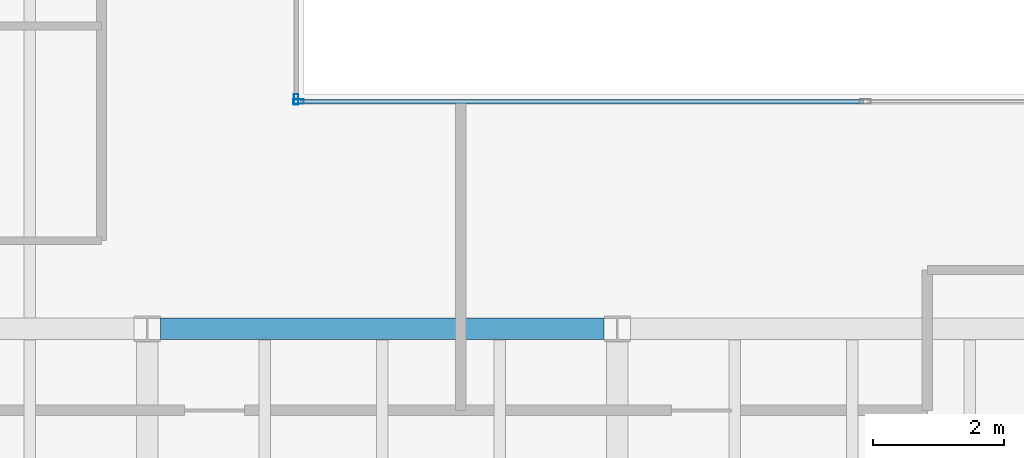
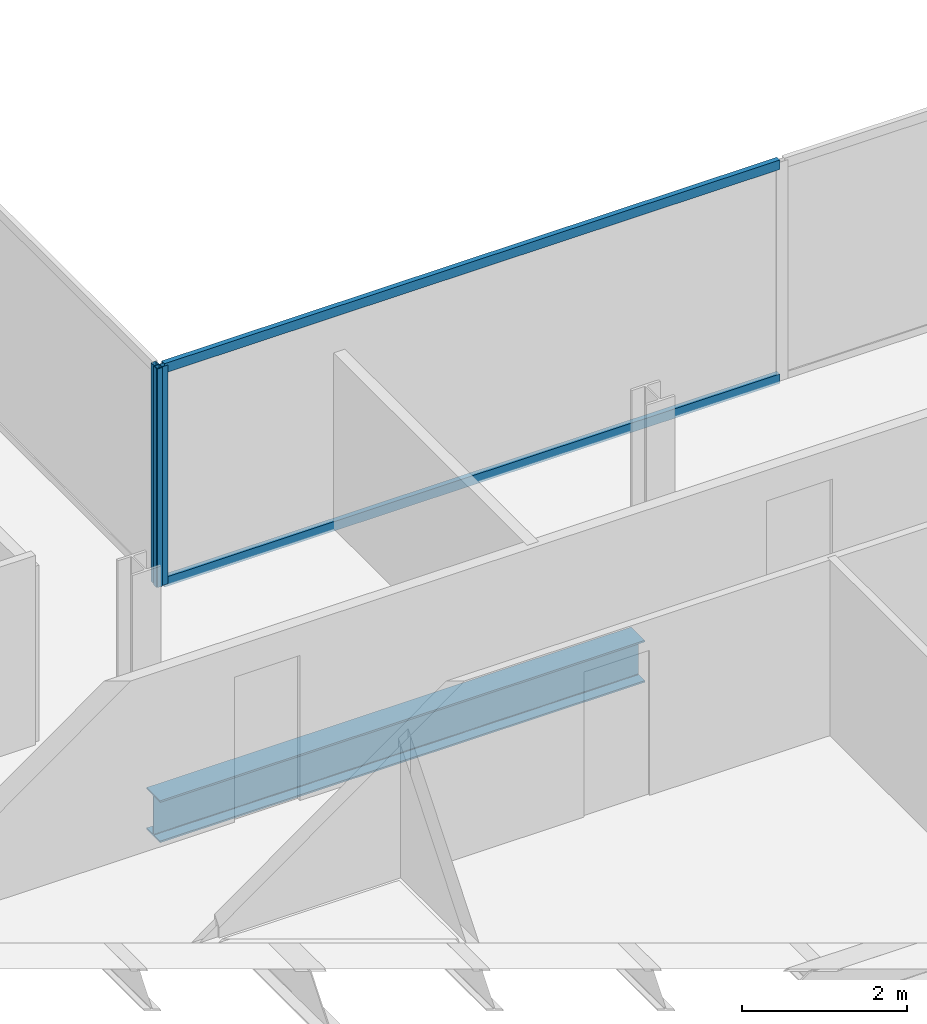
# One storey, part 8 of 23: 4 members, 1 beam, 2 elements without a shape of their own.
"""IFC4 building model written with IfcOpenShell, lengths in metres."""

import ifcopenshell
import ifcopenshell.guid

model = None  # the IFC model being written
_history = None  # IfcOwnerHistory: only IFC2X3 demands one
_inside = {}  # id of a spatial element -> (the spatial element, [elements in it])
_under = {}  # id of a project, library or spatial element -> (it, [spatial elements below it])
_declared = {}  # id of a project -> (the project, [libraries it declares])
_typed = {}  # id of a type object -> (the type object, [elements of that type])
_made_of = {}  # id of a material, layer set ... -> (it, [elements and type objects made of it])


def new_model(schema):
    """Start an empty IFC model of exactly this schema.

    Asked for "IFC4X3", IfcOpenShell would pick the latest addendum, in which some entities
    have other attributes; the version numbers below select the first issue.
    IFC2X3 requires an IfcOwnerHistory on every rooted entity: one is made here for all.
    """
    global model, _history
    if schema == "IFC4X3":
        model = ifcopenshell.file(schema_version=(4, 3, 0, 0))
    else:
        model = ifcopenshell.file(schema=schema)
    _inside.clear()
    _under.clear()
    _declared.clear()
    _typed.clear()
    _made_of.clear()
    _history = None
    if model.schema == "IFC2X3":
        org = make("IfcOrganization", Name="unknown")
        user = make(
            "IfcPersonAndOrganization",
            ThePerson=make("IfcPerson", FamilyName="unknown"),
            TheOrganization=org,
        )
        app = make(
            "IfcApplication",
            ApplicationDeveloper=org,
            Version="unknown",
            ApplicationFullName="unknown",
            ApplicationIdentifier="unknown",
        )
        _history = make(
            "IfcOwnerHistory",
            OwningUser=user,
            OwningApplication=app,
            ChangeAction="ADDED",
            CreationDate=0,
        )
    return model


def make(cls, **values):
    """One entity of the class cls with the attributes given. An attribute that is None is left unset."""
    return model.create_entity(
        cls, **{name: value for name, value in values.items() if value is not None}
    )


def rooted(cls, **values):
    """An entity with a GlobalId (a new one), such as an element, a storey or a relation."""
    return make(cls, GlobalId=ifcopenshell.guid.new(), OwnerHistory=_history, **values)


def si_unit(unit_type, name, prefix=None):
    """IfcSIUnit, for example si_unit("LENGTHUNIT", "METRE", prefix="MILLI")."""
    return make("IfcSIUnit", UnitType=unit_type, Prefix=prefix, Name=name)


def assignment(units):
    """IfcUnitAssignment: the units of a project."""
    return None if units is None else make("IfcUnitAssignment", Units=units)


def point(xyz):
    """IfcCartesianPoint."""
    return None if xyz is None else make("IfcCartesianPoint", Coordinates=xyz)


def direction(xyz):
    """IfcDirection."""
    return None if xyz is None else make("IfcDirection", DirectionRatios=xyz)


def frame(location, z_axis=None, x_axis=None):
    """IfcAxis2Placement3D, a coordinate frame: its origin and axes. An axis left out is left unset."""
    return make(
        "IfcAxis2Placement3D",
        Location=point(location),
        Axis=direction(z_axis),
        RefDirection=direction(x_axis),
    )


def frame_2d(location, x_axis=None):
    """IfcAxis2Placement2D, a coordinate frame in the plane: its origin and x axis."""
    return make(
        "IfcAxis2Placement2D", Location=point(location), RefDirection=direction(x_axis)
    )


def origin():
    """The frame at (0, 0, 0) with its axes left unset."""
    return frame((0.0, 0.0, 0.0))


def origin_2d():
    """The frame at (0, 0) in the plane with its x axis left unset."""
    return frame_2d((0.0, 0.0))


def place(relative_to, where):
    """IfcLocalPlacement: puts the frame where relative to a parent placement (None: the world)."""
    return make(
        "IfcLocalPlacement", PlacementRelTo=relative_to, RelativePlacement=where
    )


def context(
    kind, dimensions, precision=None, world=None, true_north=None, identifier=None
):
    """IfcGeometricRepresentationContext, for example the 3D "Model" context."""
    return make(
        "IfcGeometricRepresentationContext",
        ContextIdentifier=identifier,
        ContextType=kind,
        CoordinateSpaceDimension=dimensions,
        Precision=precision,
        WorldCoordinateSystem=world,
        TrueNorth=true_north,
    )


def subcontext(parent, identifier, kind, view, scale=None):
    """IfcGeometricRepresentationSubContext, for example "Body" below "Model"."""
    return make(
        "IfcGeometricRepresentationSubContext",
        ContextIdentifier=identifier,
        ContextType=kind,
        ParentContext=parent,
        TargetScale=scale,
        TargetView=view,
    )


def project(units=None, contexts=None):
    """IfcProject with its units and contexts."""
    return rooted(
        "IfcProject",
        Name="project",
        RepresentationContexts=contexts,
        UnitsInContext=assignment(units),
    )


def spatial(cls, under=None, at=None, **own):
    """A site, building, storey or space (cls), placed at a placement, below another one or the project."""
    s = rooted(cls, ObjectPlacement=at, **own)
    if under is not None:
        _under.setdefault(under.id(), (under, []))[1].append(s)
    return s


def profile(cls, at=None, kind="AREA", **sizes):
    """A parametric profile (cls). Its sizes go by their IFC names, for example OverallWidth=200.0."""
    return make(cls, ProfileType=kind, Position=at, **sizes)


def hollow_rectangle(**sizes):
    """IfcRectangleHollowProfileDef."""
    return profile("IfcRectangleHollowProfileDef", **sizes)


def i_section(**sizes):
    """IfcIShapeProfileDef."""
    return profile("IfcIShapeProfileDef", **sizes)


def extrude(swept, where, along, depth):
    """IfcExtrudedAreaSolid: the profile swept, set in the frame where, extruded along a direction by depth."""
    return make(
        "IfcExtrudedAreaSolid",
        SweptArea=swept,
        Position=where,
        ExtrudedDirection=direction(along),
        Depth=depth,
    )


def shape(context_of_items, identifier, shape_type, items):
    """IfcShapeRepresentation: the items that make up one representation, for example the "Body"."""
    return make(
        "IfcShapeRepresentation",
        ContextOfItems=context_of_items,
        RepresentationIdentifier=identifier,
        RepresentationType=shape_type,
        Items=items,
    )


def material(Name=None, Category=None):
    """IfcMaterial."""
    return make("IfcMaterial", Name=Name, Category=Category)


def material_profile(
    of_material, cross_section, Name=None, Category=None, Priority=None
):
    """IfcMaterialProfile: a cross section and its material."""
    return make(
        "IfcMaterialProfile",
        Name=Name,
        Material=of_material,
        Profile=cross_section,
        Priority=Priority,
        Category=Category,
    )


def profile_set(profiles, Name=None, composite=None):
    """IfcMaterialProfileSet."""
    return make(
        "IfcMaterialProfileSet",
        Name=Name,
        MaterialProfiles=profiles,
        CompositeProfile=composite,
    )


def made_of(thing, what):
    """Note that an element or type object is made of a material, layer set ...; save() writes the relation."""
    if what is not None:
        _made_of.setdefault(what.id(), (what, []))[1].append(thing)
    return thing


def type_object(cls, material=None, **own):
    """A type object (cls), such as IfcWallType, which elements share."""
    return made_of(rooted(cls, **own), material)


def element(
    cls,
    number,
    at=None,
    inside=None,
    cuts=None,
    type_object=None,
    material=None,
    context=None,
    identifier="Body",
    shape_type=None,
    held_by="IfcProductDefinitionShape",
    body=None,
    shapes=None,
    **own,
):
    """One element of the class cls, such as IfcWall. Its Tag is "e" and its number.

    at: its placement. inside: the storey or other place that contains it. cuts: it is an
    opening in that element (IfcRelVoidsElement). A single representation is given by context,
    identifier, shape_type and body (its items); several are given by shapes. held_by: the class
    of the entity that holds the representations. save() writes the other relations.
    """
    e = rooted(cls, Tag="e%d" % number, ObjectPlacement=at, **own)
    if body is not None:
        shapes = [shape(context, identifier, shape_type, body)]
    if shapes is not None:
        e.Representation = make(held_by, Representations=shapes)
    if inside is not None:
        _inside.setdefault(inside.id(), (inside, []))[1].append(e)
    if cuts is not None:
        rooted(
            "IfcRelVoidsElement", RelatingBuildingElement=cuts, RelatedOpeningElement=e
        )
    if type_object is not None:
        _typed.setdefault(type_object.id(), (type_object, []))[1].append(e)
    return made_of(e, material)


def aggregate(whole, parts):
    """IfcRelAggregates: a whole, such as a stair, and the parts it consists of."""
    return rooted("IfcRelAggregates", RelatingObject=whole, RelatedObjects=parts)


def save(model, path):
    """Write the relations noted so far, then the file.

    IfcRelAggregates (storeys below a building ...), IfcRelContainedInSpatialStructure (elements
    in a storey), IfcRelDefinesByType, IfcRelAssociatesMaterial and IfcRelDeclares: one each for
    every whole, place, type object, material and project.
    """
    for whole, parts in _under.values():
        aggregate(whole, parts)
    for where, things in _inside.values():
        rooted(
            "IfcRelContainedInSpatialStructure",
            RelatedElements=things,
            RelatingStructure=where,
        )
    for kind, things in _typed.values():
        rooted("IfcRelDefinesByType", RelatedObjects=things, RelatingType=kind)
    for what, things in _made_of.values():
        rooted("IfcRelAssociatesMaterial", RelatedObjects=things, RelatingMaterial=what)
    for by, libraries in _declared.values():
        rooted("IfcRelDeclares", RelatingContext=by, RelatedDefinitions=libraries)
    model.write(path)


model = new_model("IFC4")

# Units and contexts
model_context = context("Model", 3, precision=1e-05, world=origin(), true_north=direction((0.0, 1.0)))
body_context = subcontext(model_context, "Body", "Model", "MODEL_VIEW")
ifc_project = project(units=[si_unit("LENGTHUNIT", "METRE"), si_unit("AREAUNIT", "SQUARE_METRE"), si_unit("VOLUMEUNIT", "CUBIC_METRE"), si_unit("PLANEANGLEUNIT", "RADIAN"), si_unit("MASSUNIT", "GRAM", prefix="KILO")], contexts=[model_context])

# Site, building, storey
site_placement = place(None, origin())
site = spatial("IfcSite", under=ifc_project, at=site_placement, CompositionType="ELEMENT")
building_placement = place(site_placement, origin())
building = spatial("IfcBuilding", under=site, at=building_placement, Name="Cobrela Telecom Tower", CompositionType="ELEMENT")
storey_placement = place(building_placement, frame((0.0, 0.0, 187.25)))
storey = spatial("IfcBuildingStorey", under=building, at=storey_placement, Name="L47", CompositionType="ELEMENT", Elevation=187.25)

# Beam
ifc_material_1 = material(Name="Steel ASTM A992 Grade 50", Category="steel")
ifc_material_profile_1 = material_profile(ifc_material_1, i_section(OverallWidth=0.327880859375, OverallDepth=0.6220703125, WebThickness=0.015380859375, FlangeThickness=0.0244140625, FilletRadius=0.014892578125, at=origin_2d()), Name="W24X131")
ifc_profile_set_1 = profile_set([ifc_material_profile_1], Name="Steel ASTM A992 Grade 50")
beam_type = type_object("IfcBeamType", Name="BM-GIRD-06", PredefinedType="USERDEFINED", material=ifc_profile_set_1)
beam_placement = place(storey_placement, frame((21.804443359375, 21.60009765625, -0.571044921875), z_axis=(1.0, 0.0, 0.0), x_axis=(0.0, 1.0, 0.0)))
element("IfcBeam", 1, at=beam_placement, inside=storey, type_object=beam_type, Name="L47 Primary Girder X16", ObjectType="GIRDER", PredefinedType="USERDEFINED", context=body_context, shape_type="SweptSolid", body=[
    extrude(i_section(OverallWidth=0.327880859375, OverallDepth=0.6220703125, WebThickness=0.015380859375, FlangeThickness=0.0244140625, FilletRadius=0.014892578125, at=origin_2d()), origin(), (0.0, 0.0, 1.0), 6.791015625),
])

# Curtain wall, member
ifc_material_2 = material(Name="Anodized Bronze Aluminium 6063-T6", Category="aluminium")
curtain_wall_type = type_object("IfcCurtainWallType", Name="CW-SYS-OFF-LO", PredefinedType="USERDEFINED", material=ifc_material_2)
curtain_wall_1_placement = place(storey_placement, origin())
curtain_wall_1 = element("IfcCurtainWall", 2, at=curtain_wall_1_placement, inside=storey, type_object=curtain_wall_type, Name="L47 Unitised Bronze Curtain Wall 10", ObjectType="UNITISED CURTAIN WALL", PredefinedType="USERDEFINED")
ifc_material_profile_2 = material_profile(ifc_material_2, hollow_rectangle(XDim=0.070068359375, YDim=0.159912109375, WallThickness=0.00390625, at=origin_2d()), Name="ALU 70x160x4")
ifc_profile_set_2 = profile_set([ifc_material_profile_2], Name="Anodized Bronze Aluminium 6063-T6")
member_type_1 = type_object("IfcMemberType", Name="CW-SYS-OFF-LO-MUL", PredefinedType="MULLION", material=ifc_profile_set_2)
member_1_placement = place(storey_placement, frame((23.8798828125, 25.114990234375, 0.0), z_axis=(0.0, 0.0, 1.0), x_axis=(1.0, 0.0, 0.0)))
member_1 = element("IfcMember", 3, at=member_1_placement, type_object=member_type_1, Name="CW-OFF-LO mullion 3", PredefinedType="MULLION", context=body_context, shape_type="SweptSolid", body=[
    extrude(hollow_rectangle(XDim=0.070068359375, YDim=0.159912109375, WallThickness=0.00390625, at=origin_2d()), origin(), (0.0, 0.0, 1.0), 3.239990234375),
])
aggregate(curtain_wall_1, [member_1])

# Curtain wall, members
curtain_wall_2_placement = place(storey_placement, origin())
curtain_wall_2 = element("IfcCurtainWall", 4, at=curtain_wall_2_placement, inside=storey, type_object=curtain_wall_type, Name="L47 Unitised Bronze Curtain Wall 11", ObjectType="UNITISED CURTAIN WALL", PredefinedType="USERDEFINED")
member_2_placement = place(storey_placement, frame((23.9150390625, 25.080078125, 0.0), z_axis=(0.0, 0.0, 1.0), x_axis=(0.0, 1.0, 0.0)))
member_2 = element("IfcMember", 5, at=member_2_placement, type_object=member_type_1, Name="CW-OFF-LO mullion 1", PredefinedType="MULLION", context=body_context, shape_type="SweptSolid", body=[
    extrude(hollow_rectangle(XDim=0.070068359375, YDim=0.159912109375, WallThickness=0.00390625, at=origin_2d()), origin(), (0.0, 0.0, 1.0), 3.239990234375),
])
ifc_material_profile_3 = material_profile(ifc_material_2, hollow_rectangle(XDim=0.070068359375, YDim=0.139892578125, WallThickness=0.00390625, at=origin_2d()), Name="ALU 70x140x4")
ifc_profile_set_3 = profile_set([ifc_material_profile_3], Name="Anodized Bronze Aluminium 6063-T6")
member_type_2 = type_object("IfcMemberType", Name="CW-SYS-OFF-LO-TRN", PredefinedType="USERDEFINED", material=ifc_profile_set_3)
member_3_placement = place(storey_placement, frame((23.949951171875, 25.080078125, 0.034912109375), z_axis=(1.0, 0.0, 0.0), x_axis=(0.0, 1.0, 0.0)))
member_3 = element("IfcMember", 6, at=member_3_placement, type_object=member_type_2, Name="CW-OFF-LO transom 1.1", ObjectType="TRANSOM", PredefinedType="USERDEFINED", context=body_context, shape_type="SweptSolid", body=[
    extrude(hollow_rectangle(XDim=0.070068359375, YDim=0.139892578125, WallThickness=0.00390625, at=origin_2d()), origin(), (0.0, 0.0, 1.0), 8.6201171875),
])
member_4_placement = place(storey_placement, frame((23.949951171875, 25.080078125, 3.205078125), z_axis=(1.0, 0.0, 0.0), x_axis=(0.0, 1.0, 0.0)))
member_4 = element("IfcMember", 7, at=member_4_placement, type_object=member_type_2, Name="CW-OFF-LO transom 1.2", ObjectType="TRANSOM", PredefinedType="USERDEFINED", context=body_context, shape_type="SweptSolid", body=[
    extrude(hollow_rectangle(XDim=0.070068359375, YDim=0.139892578125, WallThickness=0.00390625, at=origin_2d()), origin(), (0.0, 0.0, 1.0), 8.6201171875),
])
aggregate(curtain_wall_2, [member_2, member_3, member_4])

save(model, "model.ifc")
